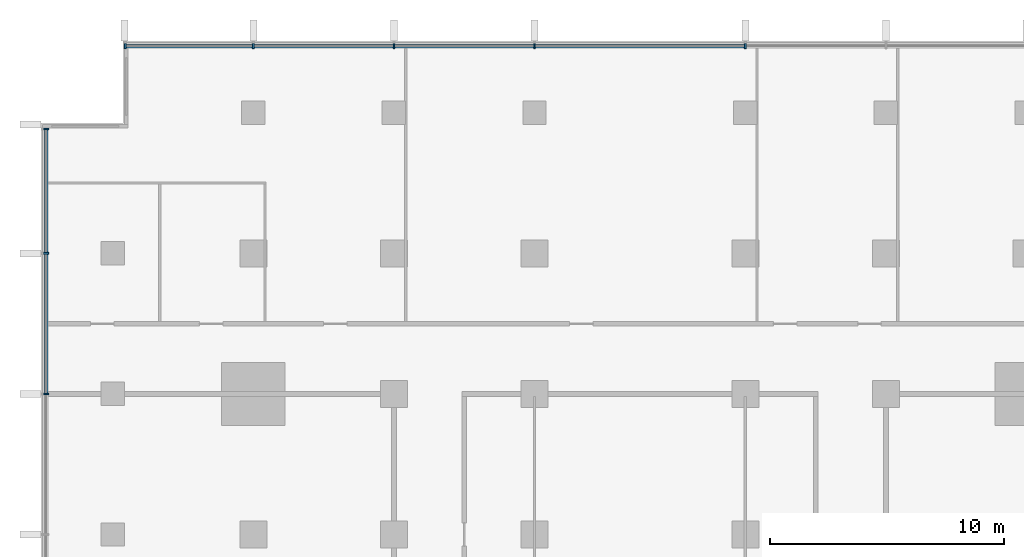
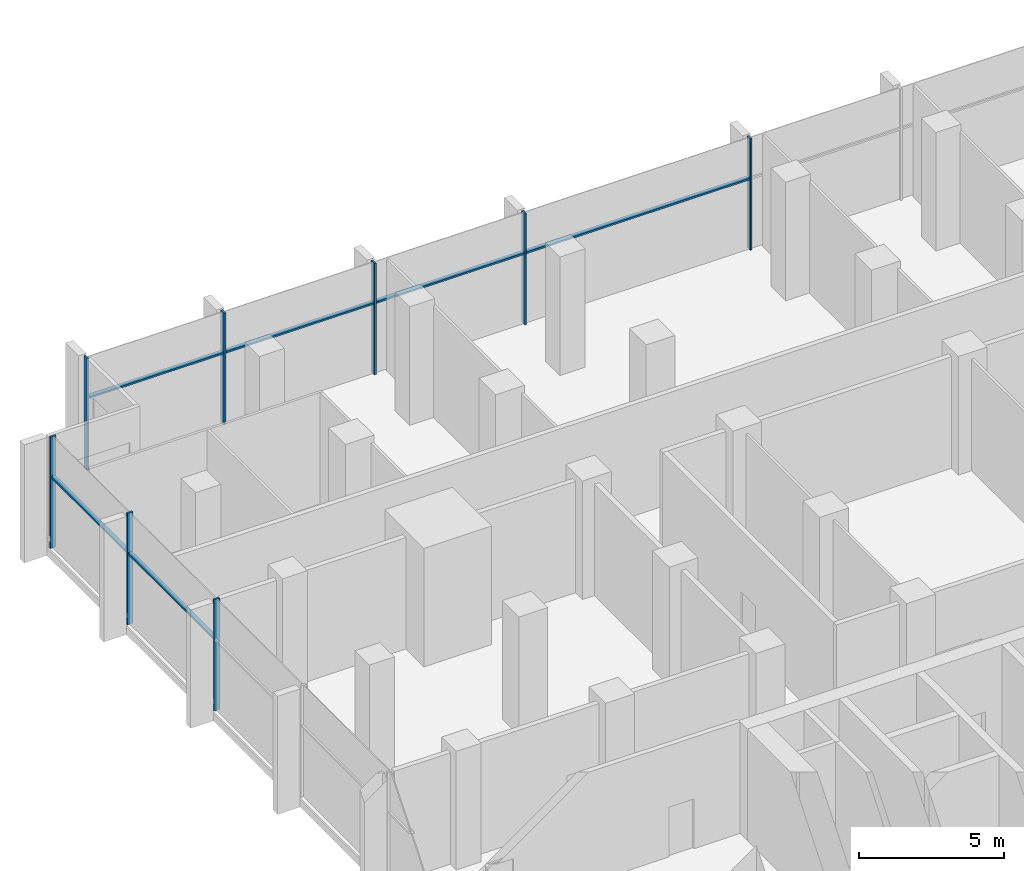
# One storey, part 4 of 14: 14 members, 2 elements without a shape of their own.
"""IFC4 building model written with IfcOpenShell, lengths in metres."""

from ifc_helpers import new_model, si_unit, direction, frame, origin, origin_2d, place, context, subcontext, project, spatial, rectangle, extrude, material, material_profile, profile_set, type_object, element, aggregate, save


model = new_model("IFC4")

# Units and contexts
model_context = context("Model", 3, precision=1e-05, world=origin(), true_north=direction((0.0, 1.0)))
body_context = subcontext(model_context, "Body", "Model", "MODEL_VIEW")
ifc_project = project(units=[si_unit("LENGTHUNIT", "METRE"), si_unit("AREAUNIT", "SQUARE_METRE"), si_unit("VOLUMEUNIT", "CUBIC_METRE"), si_unit("PLANEANGLEUNIT", "RADIAN"), si_unit("MASSUNIT", "GRAM", prefix="KILO")], contexts=[model_context])

# Site, building, storey
site_placement = place(None, origin())
site = spatial("IfcSite", under=ifc_project, at=site_placement, CompositionType="ELEMENT")
building_placement = place(site_placement, origin())
building = spatial("IfcBuilding", under=site, at=building_placement, Name="Finial Court Residences", CompositionType="ELEMENT")
storey_placement = place(building_placement, frame((0.0, 0.0, 133.89990234375)))
storey = spatial("IfcBuildingStorey", under=building, at=storey_placement, Name="L33", CompositionType="ELEMENT", Elevation=133.89990234375)

# Curtain wall, members
ifc_material = material(Name="Bronze anodised aluminium", Category="aluminium")
curtain_wall_type = type_object("IfcCurtainWallType", Name="Sky amenity glazing", PredefinedType="NOTDEFINED", material=ifc_material)
curtain_wall_1_placement = place(storey_placement, origin())
curtain_wall_1 = element("IfcCurtainWall", 1, at=curtain_wall_1_placement, inside=storey, type_object=curtain_wall_type, Name="E-L33-CW-N1", PredefinedType="NOTDEFINED")
ifc_material_profile_1 = material_profile(ifc_material, rectangle(XDim=0.22509765625, YDim=0.074951171875, at=origin_2d()), Name="CW3 mullion 75 x 225")
ifc_profile_set_1 = profile_set([ifc_material_profile_1], Name="Bronze anodised aluminium")
member_type_1 = type_object("IfcMemberType", Name="CW3 mullion 75 x 225", PredefinedType="MULLION", material=ifc_profile_set_1)
member_1_placement = place(storey_placement, frame((-21.96240234375, 22.35009765625, 0.0), z_axis=(0.0, 0.0, 1.0), x_axis=(0.0, 1.0, 0.0)))
member_1 = element("IfcMember", 2, at=member_1_placement, type_object=member_type_1, Name="CW3 mullion 1", PredefinedType="MULLION", context=body_context, shape_type="SweptSolid", body=[
    extrude(rectangle(XDim=0.22509765625, YDim=0.074951171875, at=origin_2d()), origin(), (0.0, 0.0, 1.0), 4.7001953125),
])
member_2_placement = place(storey_placement, frame((-16.5, 22.35009765625, 0.0), z_axis=(0.0, 0.0, 1.0), x_axis=(0.0, 1.0, 0.0)))
member_2 = element("IfcMember", 3, at=member_2_placement, type_object=member_type_1, Name="CW3 mullion 2", PredefinedType="MULLION", context=body_context, shape_type="SweptSolid", body=[
    extrude(rectangle(XDim=0.22509765625, YDim=0.074951171875, at=origin_2d()), origin(), (0.0, 0.0, 1.0), 4.7001953125),
])
member_3_placement = place(storey_placement, frame((-10.5, 22.35009765625, 0.0), z_axis=(0.0, 0.0, 1.0), x_axis=(0.0, 1.0, 0.0)))
member_3 = element("IfcMember", 4, at=member_3_placement, type_object=member_type_1, Name="CW3 mullion 3", PredefinedType="MULLION", context=body_context, shape_type="SweptSolid", body=[
    extrude(rectangle(XDim=0.22509765625, YDim=0.074951171875, at=origin_2d()), origin(), (0.0, 0.0, 1.0), 4.7001953125),
])
member_4_placement = place(storey_placement, frame((-4.5, 22.35009765625, 0.0), z_axis=(0.0, 0.0, 1.0), x_axis=(0.0, 1.0, 0.0)))
member_4 = element("IfcMember", 5, at=member_4_placement, type_object=member_type_1, Name="CW3 mullion 4", PredefinedType="MULLION", context=body_context, shape_type="SweptSolid", body=[
    extrude(rectangle(XDim=0.22509765625, YDim=0.074951171875, at=origin_2d()), origin(), (0.0, 0.0, 1.0), 4.7001953125),
])
member_5_placement = place(storey_placement, frame((4.5, 22.35009765625, 0.0), z_axis=(0.0, 0.0, 1.0), x_axis=(0.0, 1.0, 0.0)))
member_5 = element("IfcMember", 6, at=member_5_placement, type_object=member_type_1, Name="CW3 mullion 5", PredefinedType="MULLION", context=body_context, shape_type="SweptSolid", body=[
    extrude(rectangle(XDim=0.22509765625, YDim=0.074951171875, at=origin_2d()), origin(), (0.0, 0.0, 1.0), 4.7001953125),
])

curtain_wall_2_placement = place(storey_placement, origin())
curtain_wall_2 = element("IfcCurtainWall", 7, at=curtain_wall_2_placement, inside=storey, type_object=curtain_wall_type, Name="E-L33-CW-W5", PredefinedType="NOTDEFINED")
member_6_placement = place(storey_placement, frame((-25.35009765625, 7.5, 0.0), z_axis=(0.0, 0.0, 1.0), x_axis=(-1.0, 0.0, 0.0)))
member_6 = element("IfcMember", 8, at=member_6_placement, type_object=member_type_1, Name="CW3 mullion 5", PredefinedType="MULLION", context=body_context, shape_type="SweptSolid", body=[
    extrude(rectangle(XDim=0.22509765625, YDim=0.074951171875, at=origin_2d()), origin(), (0.0, 0.0, 1.0), 4.7001953125),
])
member_7_placement = place(storey_placement, frame((-25.35009765625, 13.5, 0.0), z_axis=(0.0, 0.0, 1.0), x_axis=(-1.0, 0.0, 0.0)))
member_7 = element("IfcMember", 9, at=member_7_placement, type_object=member_type_1, Name="CW3 mullion 6", PredefinedType="MULLION", context=body_context, shape_type="SweptSolid", body=[
    extrude(rectangle(XDim=0.22509765625, YDim=0.074951171875, at=origin_2d()), origin(), (0.0, 0.0, 1.0), 4.7001953125),
])
member_8_placement = place(storey_placement, frame((-25.35009765625, 18.8125, 0.0), z_axis=(0.0, 0.0, 1.0), x_axis=(-1.0, 0.0, 0.0)))
member_8 = element("IfcMember", 10, at=member_8_placement, type_object=member_type_1, Name="CW3 mullion 7", PredefinedType="MULLION", context=body_context, shape_type="SweptSolid", body=[
    extrude(rectangle(XDim=0.22509765625, YDim=0.074951171875, at=origin_2d()), origin(), (0.0, 0.0, 1.0), 4.7001953125),
])

# Member
ifc_material_profile_2 = material_profile(ifc_material, rectangle(XDim=0.175048828125, YDim=0.074951171875, at=origin_2d()), Name="CW3 transom 75 x 175")
ifc_profile_set_2 = profile_set([ifc_material_profile_2], Name="Bronze anodised aluminium")
member_type_2 = type_object("IfcMemberType", Name="CW3 transom 75 x 175", PredefinedType="USERDEFINED", material=ifc_profile_set_2)
member_9_placement = place(storey_placement, frame((-21.925048828125, 22.35009765625, 3.0), z_axis=(1.0, 0.0, 0.0), x_axis=(0.0, 1.0, 0.0)))
member_9 = element("IfcMember", 11, at=member_9_placement, type_object=member_type_2, Name="CW3 transom 1.1", ObjectType="TRANSOM", PredefinedType="USERDEFINED", context=body_context, shape_type="SweptSolid", body=[
    extrude(rectangle(XDim=0.175048828125, YDim=0.074951171875, at=origin_2d()), origin(), (0.0, 0.0, 1.0), 5.387451171875),
])

member_10_placement = place(storey_placement, frame((-16.46240234375, 22.35009765625, 3.0), z_axis=(1.0, 0.0, 0.0), x_axis=(0.0, 1.0, 0.0)))
member_10 = element("IfcMember", 12, at=member_10_placement, type_object=member_type_2, Name="CW3 transom 2.1", ObjectType="TRANSOM", PredefinedType="USERDEFINED", context=body_context, shape_type="SweptSolid", body=[
    extrude(rectangle(XDim=0.175048828125, YDim=0.074951171875, at=origin_2d()), origin(), (0.0, 0.0, 1.0), 5.9248046875),
])

member_11_placement = place(storey_placement, frame((-10.46240234375, 22.35009765625, 3.0), z_axis=(1.0, 0.0, 0.0), x_axis=(0.0, 1.0, 0.0)))
member_11 = element("IfcMember", 13, at=member_11_placement, type_object=member_type_2, Name="CW3 transom 3.1", ObjectType="TRANSOM", PredefinedType="USERDEFINED", context=body_context, shape_type="SweptSolid", body=[
    extrude(rectangle(XDim=0.175048828125, YDim=0.074951171875, at=origin_2d()), origin(), (0.0, 0.0, 1.0), 5.9248046875),
])

member_12_placement = place(storey_placement, frame((-4.46240234375, 22.35009765625, 3.0), z_axis=(1.0, 0.0, 0.0), x_axis=(0.0, 1.0, 0.0)))
member_12 = element("IfcMember", 14, at=member_12_placement, type_object=member_type_2, Name="CW3 transom 4.1", ObjectType="TRANSOM", PredefinedType="USERDEFINED", context=body_context, shape_type="SweptSolid", body=[
    extrude(rectangle(XDim=0.175048828125, YDim=0.074951171875, at=origin_2d()), origin(), (0.0, 0.0, 1.0), 8.9248046875),
])

aggregate(curtain_wall_1, [member_1, member_2, member_3, member_4, member_5, member_9, member_10, member_11, member_12])

member_13_placement = place(storey_placement, frame((-25.35009765625, 7.53759765625, 3.0), z_axis=(0.0, 1.0, 0.0), x_axis=(-1.0, 0.0, 0.0)))
member_13 = element("IfcMember", 15, at=member_13_placement, type_object=member_type_2, Name="CW3 transom 5.1", ObjectType="TRANSOM", PredefinedType="USERDEFINED", context=body_context, shape_type="SweptSolid", body=[
    extrude(rectangle(XDim=0.175048828125, YDim=0.074951171875, at=origin_2d()), origin(), (0.0, 0.0, 1.0), 5.9248046875),
])

member_14_placement = place(storey_placement, frame((-25.35009765625, 13.53759765625, 3.0), z_axis=(0.0, 1.0, 0.0), x_axis=(-1.0, 0.0, 0.0)))
member_14 = element("IfcMember", 16, at=member_14_placement, type_object=member_type_2, Name="CW3 transom 6.1", ObjectType="TRANSOM", PredefinedType="USERDEFINED", context=body_context, shape_type="SweptSolid", body=[
    extrude(rectangle(XDim=0.175048828125, YDim=0.074951171875, at=origin_2d()), origin(), (0.0, 0.0, 1.0), 5.2373046875),
])

aggregate(curtain_wall_2, [member_6, member_7, member_8, member_13, member_14])

save(model, "model.ifc")
